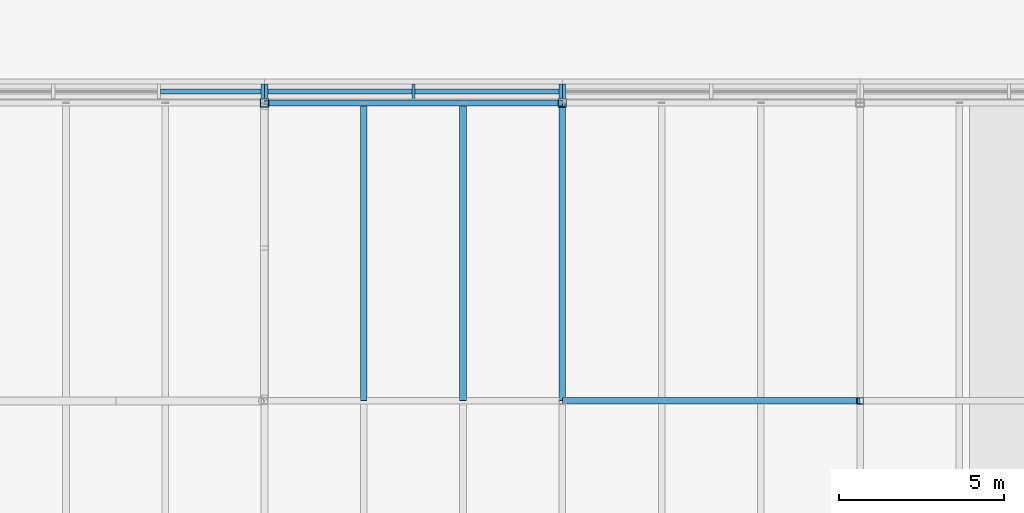
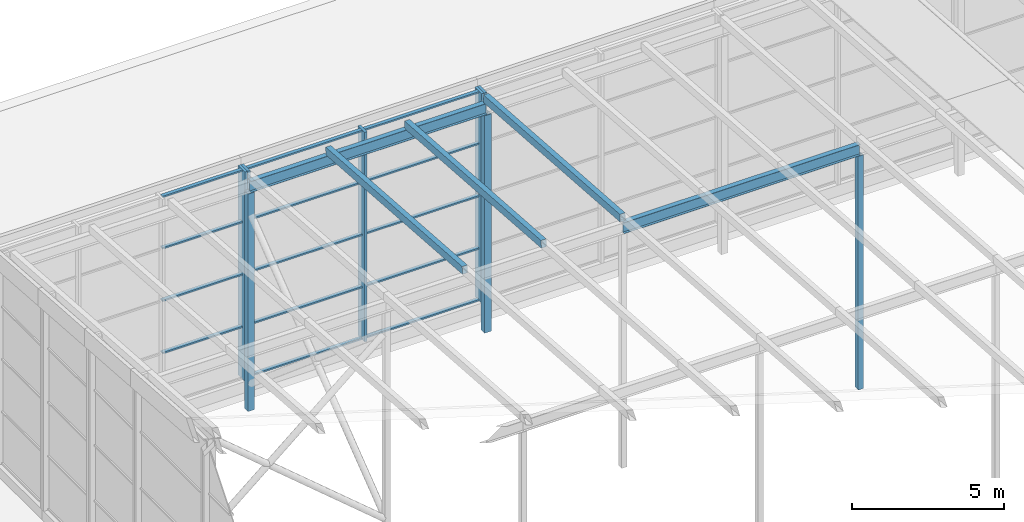
# One storey, part 36 of 84: 25 members, 2 beams, 3 elements without a shape of their own.
"""IFC4 building model written with IfcOpenShell, lengths in metres."""

from ifc_helpers import new_model, si_unit, direction, frame, origin, origin_2d, place, context, subcontext, project, spatial, rectangle, hollow_rectangle, i_section, extrude, material, material_profile, profile_set, type_object, element, aggregate, save


model = new_model("IFC4")

# Units and contexts
model_context = context("Model", 3, precision=1e-05, world=origin(), true_north=direction((0.0, 1.0)))
body_context = subcontext(model_context, "Body", "Model", "MODEL_VIEW")
ifc_project = project(units=[si_unit("LENGTHUNIT", "METRE"), si_unit("AREAUNIT", "SQUARE_METRE"), si_unit("VOLUMEUNIT", "CUBIC_METRE"), si_unit("PLANEANGLEUNIT", "RADIAN"), si_unit("MASSUNIT", "GRAM", prefix="KILO")], contexts=[model_context])

# Site, building, storey
site_placement = place(None, origin())
site = spatial("IfcSite", under=ifc_project, at=site_placement, CompositionType="ELEMENT")
building_placement = place(site_placement, origin())
building = spatial("IfcBuilding", under=site, at=building_placement, Name="Silverbay Arena", CompositionType="ELEMENT")
storey_placement = place(building_placement, frame((0.0, 0.0, 47.10009765625)))
storey = spatial("IfcBuildingStorey", under=building, at=storey_placement, Name="ROOF", CompositionType="ELEMENT", Elevation=47.10009765625)

# Curtain wall, member
ifc_material_1 = material(Name="Aluminium framed glazing", Category="aluminium")
curtain_wall_type_1 = type_object("IfcCurtainWallType", Name="Curtain wall crown 9575 x 8425", PredefinedType="NOTDEFINED", material=ifc_material_1)
curtain_wall_1_placement = place(storey_placement, origin())
curtain_wall_1 = element("IfcCurtainWall", 1, at=curtain_wall_1_placement, inside=storey, type_object=curtain_wall_type_1, Name="ROOF CROWN CURTAIN WALL north bay 01", PredefinedType="NOTDEFINED")
ifc_material_2 = material(Name="Aluminium", Category="aluminium")
ifc_material_profile_1 = material_profile(ifc_material_2, rectangle(XDim=0.449951171875, YDim=0.10009765625, at=origin_2d()), Name="Mullion 100 x 450")
ifc_profile_set_1 = profile_set([ifc_material_profile_1], Name="Aluminium")
member_type_1 = type_object("IfcMemberType", Name="Mullion 100 x 450", PredefinedType="MULLION", material=ifc_profile_set_1)
placement = place(building_placement, frame((0.0, 0.0, 33.5)))
member_1_placement = place(placement, frame((89.949951171875, 135.35009765625, 14.050048828125), z_axis=(0.0, 0.0, 1.0), x_axis=(0.0, 1.0, 0.0)))
member_1 = element("IfcMember", 2, at=member_1_placement, type_object=member_type_1, Name="CW61 mullion 4", PredefinedType="MULLION", context=body_context, shape_type="SweptSolid", body=[
    extrude(rectangle(XDim=0.449951171875, YDim=0.10009765625, at=origin_2d()), origin(), (0.0, 0.0, 1.0), 8.424560546875),
])

# Curtain wall, members
ifc_material_3 = material(Name="Aluminium framed glazing", Category="aluminium")
curtain_wall_type_2 = type_object("IfcCurtainWallType", Name="Curtain wall crown 9000 x 8425", PredefinedType="NOTDEFINED", material=ifc_material_3)
curtain_wall_2_placement = place(storey_placement, origin())
curtain_wall_2 = element("IfcCurtainWall", 3, at=curtain_wall_2_placement, inside=storey, type_object=curtain_wall_type_2, Name="ROOF CROWN CURTAIN WALL north bay 02", PredefinedType="NOTDEFINED")
member_2_placement = place(placement, frame((90.050048828125, 135.35009765625, 14.050048828125), z_axis=(0.0, 0.0, 1.0), x_axis=(0.0, 1.0, 0.0)))
member_2 = element("IfcMember", 4, at=member_2_placement, type_object=member_type_1, Name="CW62 mullion 1", PredefinedType="MULLION", context=body_context, shape_type="SweptSolid", body=[
    extrude(rectangle(XDim=0.449951171875, YDim=0.10009765625, at=origin_2d()), origin(), (0.0, 0.0, 1.0), 8.424560546875),
])
member_3_placement = place(placement, frame((94.5, 135.35009765625, 14.050048828125), z_axis=(0.0, 0.0, 1.0), x_axis=(0.0, 1.0, 0.0)))
member_3 = element("IfcMember", 5, at=member_3_placement, type_object=member_type_1, Name="CW62 mullion 2", PredefinedType="MULLION", context=body_context, shape_type="SweptSolid", body=[
    extrude(rectangle(XDim=0.449951171875, YDim=0.10009765625, at=origin_2d()), origin(), (0.0, 0.0, 1.0), 8.424560546875),
])
member_4_placement = place(placement, frame((98.949951171875, 135.35009765625, 14.050048828125), z_axis=(0.0, 0.0, 1.0), x_axis=(0.0, 1.0, 0.0)))
member_4 = element("IfcMember", 6, at=member_4_placement, type_object=member_type_1, Name="CW62 mullion 3", PredefinedType="MULLION", context=body_context, shape_type="SweptSolid", body=[
    extrude(rectangle(XDim=0.449951171875, YDim=0.10009765625, at=origin_2d()), origin(), (0.0, 0.0, 1.0), 8.424560546875),
])

# Curtain wall, member
curtain_wall_3_placement = place(storey_placement, origin())
curtain_wall_3 = element("IfcCurtainWall", 7, at=curtain_wall_3_placement, inside=storey, type_object=curtain_wall_type_2, Name="ROOF CROWN CURTAIN WALL north bay 03", PredefinedType="NOTDEFINED")
member_5_placement = place(placement, frame((99.050048828125, 135.35009765625, 14.050048828125), z_axis=(0.0, 0.0, 1.0), x_axis=(0.0, 1.0, 0.0)))
member_5 = element("IfcMember", 8, at=member_5_placement, type_object=member_type_1, Name="CW62 mullion 1", PredefinedType="MULLION", context=body_context, shape_type="SweptSolid", body=[
    extrude(rectangle(XDim=0.449951171875, YDim=0.10009765625, at=origin_2d()), origin(), (0.0, 0.0, 1.0), 8.424560546875),
])
aggregate(curtain_wall_3, [member_5])

# Members
ifc_material_4 = material(Name="Steel S355", Category="steel")
ifc_material_profile_2 = material_profile(ifc_material_4, hollow_rectangle(XDim=0.199951171875, YDim=0.300048828125, WallThickness=0.00634765625, at=origin_2d()), Name="RHS 300x200x6.3")
ifc_profile_set_2 = profile_set([ifc_material_profile_2], Name="Steel S355")
member_type_2 = type_object("IfcMemberType", Name="Purlin RHS 300x200x6.3", PredefinedType="PURLIN", material=ifc_profile_set_2)
for number, where, z_axis, x_axis, name in (
    (9, (93.0, 126.0, 9.3994140625), (0.0, 0.997402911363, -0.072023832195), (-1.0, 0.0, 0.0), "ROOF PURLIN crown line 05 bay 12"),
    (10, (96.0, 126.0, 9.3994140625), (0.0, 0.997402911363, -0.072023832195), (-1.0, 0.0, 0.0), "ROOF PURLIN crown line 06 bay 12"),
    (11, (99.0, 126.0, 9.3994140625), (0.0, 0.997402911363, -0.072023832195), (-1.0, 0.0, 0.0), "ROOF PURLIN crown line 07 bay 12"),
):
    element("IfcMember", number, at=place(storey_placement, frame(where, z_axis=z_axis, x_axis=x_axis)), inside=storey, type_object=member_type_2, Name=name, PredefinedType="PURLIN", context=body_context, shape_type="SweptSolid", body=[
        extrude(hollow_rectangle(XDim=0.199951171875, YDim=0.300048828125, WallThickness=0.00634765625, at=origin_2d()), origin(), (0.0, 0.0, 1.0), 9.0234375),
    ])

# Beams
ifc_material_5 = material(Name="Steel S355", Category="steel")
ifc_material_profile_3 = material_profile(ifc_material_5, i_section(OverallWidth=0.18994140625, OverallDepth=0.453369140625, WebThickness=0.008544921875, FlangeThickness=0.0126953125, at=origin_2d()), Name="UB 457x191x67")
ifc_profile_set_3 = profile_set([ifc_material_profile_3], Name="Steel S355")
beam_type = type_object("IfcBeamType", Name="Ring beam UB 457x191x67", PredefinedType="BEAM", material=ifc_profile_set_3)
for number, where, z_axis, x_axis, name in (
    (12, (99.0, 126.0, 9.0224609375), (1.0, 0.0, 0.0), (0.0, 1.0, 0.0), "RING BEAM crown row 12 12-13"),
    (13, (90.0, 135.0, 8.372314453125), (1.0, 0.0, 0.0), (0.0, 1.0, 0.0), "RING BEAM crown row 13 11-12"),
):
    element("IfcBeam", number, at=place(storey_placement, frame(where, z_axis=z_axis, x_axis=x_axis)), inside=storey, type_object=beam_type, Name=name, PredefinedType="BEAM", context=body_context, shape_type="SweptSolid", body=[
        extrude(i_section(OverallWidth=0.18994140625, OverallDepth=0.453369140625, WebThickness=0.008544921875, FlangeThickness=0.0126953125, at=origin_2d()), origin(), (0.0, 0.0, 1.0), 9.0),
    ])

# Members
ifc_material_6 = material(Name="Steel S355", Category="steel")
ifc_material_profile_4 = material_profile(ifc_material_6, hollow_rectangle(XDim=0.199951171875, YDim=0.199951171875, WallThickness=0.008056640625, at=origin_2d()), Name="SHS 200x200x8")
ifc_profile_set_4 = profile_set([ifc_material_profile_4], Name="Steel S355")
member_type_3 = type_object("IfcMemberType", Name="Roof post SHS 200x200x8", PredefinedType="POST", material=ifc_profile_set_4)
member_6_placement = place(storey_placement, frame((108.0, 126.0, -0.60009765625), z_axis=(0.0, 0.0, 1.0), x_axis=(1.0, 0.0, 0.0)))
element("IfcMember", 14, at=member_6_placement, inside=storey, type_object=member_type_3, Name="ROOF CROWN POST 13 row 12", PredefinedType="POST", context=body_context, shape_type="SweptSolid", body=[
    extrude(hollow_rectangle(XDim=0.199951171875, YDim=0.199951171875, WallThickness=0.008056640625, at=origin_2d()), origin(), (0.0, 0.0, 1.0), 9.395751953125),
])
ifc_material_7 = material(Name="Steel S355", Category="steel")
ifc_material_profile_5 = material_profile(ifc_material_7, hollow_rectangle(XDim=0.25, YDim=0.25, WallThickness=0.008056640625, at=origin_2d()), Name="SHS 250x250x8")
ifc_profile_set_5 = profile_set([ifc_material_profile_5], Name="Steel S355")
member_type_4 = type_object("IfcMemberType", Name="Roof post SHS 250x250x8", PredefinedType="POST", material=ifc_profile_set_5)
for number, where, z_axis, x_axis, name in (
    (15, (90.0, 135.0, -0.60009765625), (0.0, 0.0, 1.0), (1.0, 0.0, 0.0), "ROOF CROWN POST 11 row 13"),
    (16, (99.0, 135.0, -0.60009765625), (0.0, 0.0, 1.0), (1.0, 0.0, 0.0), "ROOF CROWN POST 12 row 13"),
):
    element("IfcMember", number, at=place(storey_placement, frame(where, z_axis=z_axis, x_axis=x_axis)), inside=storey, type_object=member_type_4, Name=name, PredefinedType="POST", context=body_context, shape_type="SweptSolid", body=[
        extrude(hollow_rectangle(XDim=0.25, YDim=0.25, WallThickness=0.008056640625, at=origin_2d()), origin(), (0.0, 0.0, 1.0), 8.745849609375),
    ])

# Member
ifc_material_8 = material(Name="Aluminium", Category="aluminium")
ifc_material_profile_6 = material_profile(ifc_material_8, rectangle(XDim=0.139892578125, YDim=0.06005859375, at=origin_2d()), Name="Transom 60 x 140")
ifc_profile_set_6 = profile_set([ifc_material_profile_6], Name="Aluminium")
member_type_5 = type_object("IfcMemberType", Name="Transom 60 x 140", PredefinedType="USERDEFINED", material=ifc_profile_set_6)
member_7_placement = place(placement, frame((86.8583984375, 135.35009765625, 16.15625), z_axis=(1.0, 0.0, 0.0), x_axis=(0.0, 1.0, 0.0)))
member_7 = element("IfcMember", 17, at=member_7_placement, type_object=member_type_5, Name="CW61 transom 3.2", ObjectType="TRANSOM", PredefinedType="USERDEFINED", context=body_context, shape_type="SweptSolid", body=[
    extrude(rectangle(XDim=0.139892578125, YDim=0.06005859375, at=origin_2d()), origin(), (0.0, 0.0, 1.0), 3.04150390625),
])

member_8_placement = place(placement, frame((86.8583984375, 135.35009765625, 18.262451171875), z_axis=(1.0, 0.0, 0.0), x_axis=(0.0, 1.0, 0.0)))
member_8 = element("IfcMember", 18, at=member_8_placement, type_object=member_type_5, Name="CW61 transom 3.3", ObjectType="TRANSOM", PredefinedType="USERDEFINED", context=body_context, shape_type="SweptSolid", body=[
    extrude(rectangle(XDim=0.139892578125, YDim=0.06005859375, at=origin_2d()), origin(), (0.0, 0.0, 1.0), 3.04150390625),
])

member_9_placement = place(placement, frame((86.8583984375, 135.35009765625, 20.36865234375), z_axis=(1.0, 0.0, 0.0), x_axis=(0.0, 1.0, 0.0)))
member_9 = element("IfcMember", 19, at=member_9_placement, type_object=member_type_5, Name="CW61 transom 3.4", ObjectType="TRANSOM", PredefinedType="USERDEFINED", context=body_context, shape_type="SweptSolid", body=[
    extrude(rectangle(XDim=0.139892578125, YDim=0.06005859375, at=origin_2d()), origin(), (0.0, 0.0, 1.0), 3.04150390625),
])

member_10_placement = place(placement, frame((86.8583984375, 135.35009765625, 22.44482421875), z_axis=(1.0, 0.0, 0.0), x_axis=(0.0, 1.0, 0.0)))
member_10 = element("IfcMember", 20, at=member_10_placement, type_object=member_type_5, Name="CW61 transom 3.5", ObjectType="TRANSOM", PredefinedType="USERDEFINED", context=body_context, shape_type="SweptSolid", body=[
    extrude(rectangle(XDim=0.139892578125, YDim=0.06005859375, at=origin_2d()), origin(), (0.0, 0.0, 1.0), 3.04150390625),
])

aggregate(curtain_wall_1, [member_1, member_7, member_8, member_9, member_10])

member_11_placement = place(placement, frame((90.10009765625, 135.35009765625, 14.080078125), z_axis=(1.0, 0.0, 0.0), x_axis=(0.0, 1.0, 0.0)))
member_11 = element("IfcMember", 21, at=member_11_placement, type_object=member_type_5, Name="CW62 transom 1.1", ObjectType="TRANSOM", PredefinedType="USERDEFINED", context=body_context, shape_type="SweptSolid", body=[
    extrude(rectangle(XDim=0.139892578125, YDim=0.06005859375, at=origin_2d()), origin(), (0.0, 0.0, 1.0), 4.349853515625),
])

member_12_placement = place(placement, frame((90.10009765625, 135.35009765625, 16.15625), z_axis=(1.0, 0.0, 0.0), x_axis=(0.0, 1.0, 0.0)))
member_12 = element("IfcMember", 22, at=member_12_placement, type_object=member_type_5, Name="CW62 transom 1.2", ObjectType="TRANSOM", PredefinedType="USERDEFINED", context=body_context, shape_type="SweptSolid", body=[
    extrude(rectangle(XDim=0.139892578125, YDim=0.06005859375, at=origin_2d()), origin(), (0.0, 0.0, 1.0), 4.349853515625),
])

member_13_placement = place(placement, frame((90.10009765625, 135.35009765625, 18.262451171875), z_axis=(1.0, 0.0, 0.0), x_axis=(0.0, 1.0, 0.0)))
member_13 = element("IfcMember", 23, at=member_13_placement, type_object=member_type_5, Name="CW62 transom 1.3", ObjectType="TRANSOM", PredefinedType="USERDEFINED", context=body_context, shape_type="SweptSolid", body=[
    extrude(rectangle(XDim=0.139892578125, YDim=0.06005859375, at=origin_2d()), origin(), (0.0, 0.0, 1.0), 4.349853515625),
])

member_14_placement = place(placement, frame((90.10009765625, 135.35009765625, 20.36865234375), z_axis=(1.0, 0.0, 0.0), x_axis=(0.0, 1.0, 0.0)))
member_14 = element("IfcMember", 24, at=member_14_placement, type_object=member_type_5, Name="CW62 transom 1.4", ObjectType="TRANSOM", PredefinedType="USERDEFINED", context=body_context, shape_type="SweptSolid", body=[
    extrude(rectangle(XDim=0.139892578125, YDim=0.06005859375, at=origin_2d()), origin(), (0.0, 0.0, 1.0), 4.349853515625),
])

member_15_placement = place(placement, frame((90.10009765625, 135.35009765625, 22.44482421875), z_axis=(1.0, 0.0, 0.0), x_axis=(0.0, 1.0, 0.0)))
member_15 = element("IfcMember", 25, at=member_15_placement, type_object=member_type_5, Name="CW62 transom 1.5", ObjectType="TRANSOM", PredefinedType="USERDEFINED", context=body_context, shape_type="SweptSolid", body=[
    extrude(rectangle(XDim=0.139892578125, YDim=0.06005859375, at=origin_2d()), origin(), (0.0, 0.0, 1.0), 4.349853515625),
])

member_16_placement = place(placement, frame((94.550048828125, 135.35009765625, 14.080078125), z_axis=(1.0, 0.0, 0.0), x_axis=(0.0, 1.0, 0.0)))
member_16 = element("IfcMember", 26, at=member_16_placement, type_object=member_type_5, Name="CW62 transom 2.1", ObjectType="TRANSOM", PredefinedType="USERDEFINED", context=body_context, shape_type="SweptSolid", body=[
    extrude(rectangle(XDim=0.139892578125, YDim=0.06005859375, at=origin_2d()), origin(), (0.0, 0.0, 1.0), 4.349853515625),
])

member_17_placement = place(placement, frame((94.550048828125, 135.35009765625, 16.15625), z_axis=(1.0, 0.0, 0.0), x_axis=(0.0, 1.0, 0.0)))
member_17 = element("IfcMember", 27, at=member_17_placement, type_object=member_type_5, Name="CW62 transom 2.2", ObjectType="TRANSOM", PredefinedType="USERDEFINED", context=body_context, shape_type="SweptSolid", body=[
    extrude(rectangle(XDim=0.139892578125, YDim=0.06005859375, at=origin_2d()), origin(), (0.0, 0.0, 1.0), 4.349853515625),
])

member_18_placement = place(placement, frame((94.550048828125, 135.35009765625, 18.262451171875), z_axis=(1.0, 0.0, 0.0), x_axis=(0.0, 1.0, 0.0)))
member_18 = element("IfcMember", 28, at=member_18_placement, type_object=member_type_5, Name="CW62 transom 2.3", ObjectType="TRANSOM", PredefinedType="USERDEFINED", context=body_context, shape_type="SweptSolid", body=[
    extrude(rectangle(XDim=0.139892578125, YDim=0.06005859375, at=origin_2d()), origin(), (0.0, 0.0, 1.0), 4.349853515625),
])

member_19_placement = place(placement, frame((94.550048828125, 135.35009765625, 20.36865234375), z_axis=(1.0, 0.0, 0.0), x_axis=(0.0, 1.0, 0.0)))
member_19 = element("IfcMember", 29, at=member_19_placement, type_object=member_type_5, Name="CW62 transom 2.4", ObjectType="TRANSOM", PredefinedType="USERDEFINED", context=body_context, shape_type="SweptSolid", body=[
    extrude(rectangle(XDim=0.139892578125, YDim=0.06005859375, at=origin_2d()), origin(), (0.0, 0.0, 1.0), 4.349853515625),
])

member_20_placement = place(placement, frame((94.550048828125, 135.35009765625, 22.44482421875), z_axis=(1.0, 0.0, 0.0), x_axis=(0.0, 1.0, 0.0)))
member_20 = element("IfcMember", 30, at=member_20_placement, type_object=member_type_5, Name="CW62 transom 2.5", ObjectType="TRANSOM", PredefinedType="USERDEFINED", context=body_context, shape_type="SweptSolid", body=[
    extrude(rectangle(XDim=0.139892578125, YDim=0.06005859375, at=origin_2d()), origin(), (0.0, 0.0, 1.0), 4.349853515625),
])

aggregate(curtain_wall_2, [member_2, member_3, member_4, member_11, member_12, member_13, member_14, member_15, member_16, member_17, member_18, member_19, member_20])

save(model, "model.ifc")
